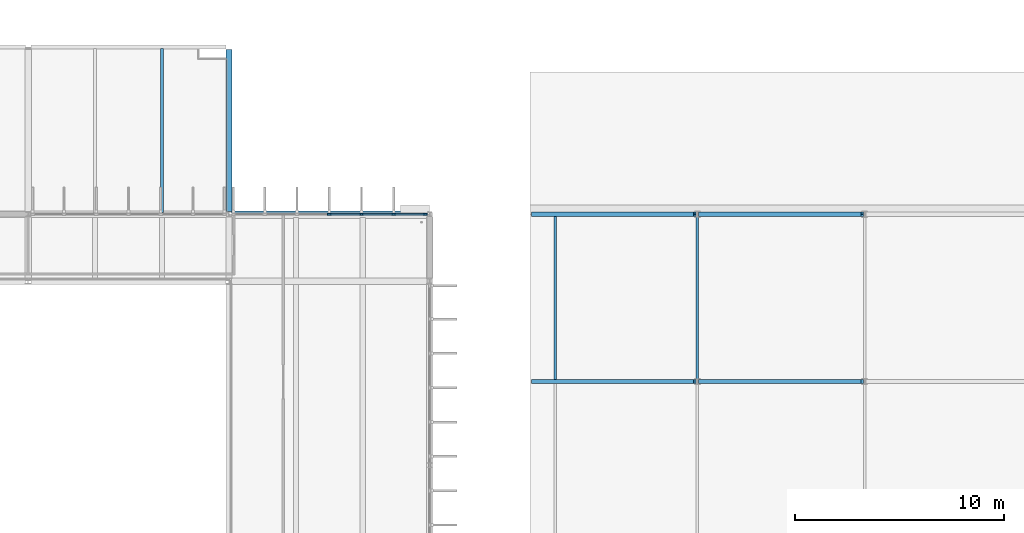
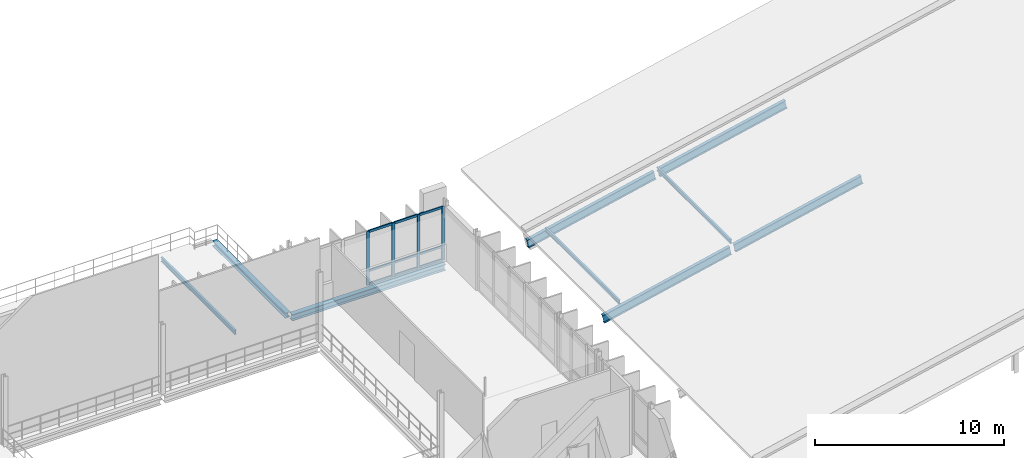
# One storey, part 17 of 41: 19 members, 3 beams, 1 element without a shape of its own.
"""IFC4 building model written with IfcOpenShell, lengths in metres."""

from ifc_helpers import new_model, si_unit, direction, frame, origin, origin_2d, place, context, subcontext, project, spatial, rectangle, i_section, extrude, material, material_profile, profile_set, type_object, element, aggregate, save


model = new_model("IFC4")

# Units and contexts
model_context = context("Model", 3, precision=1e-05, world=origin(), true_north=direction((0.0, 1.0)))
body_context = subcontext(model_context, "Body", "Model", "MODEL_VIEW")
ifc_project = project(units=[si_unit("LENGTHUNIT", "METRE"), si_unit("AREAUNIT", "SQUARE_METRE"), si_unit("VOLUMEUNIT", "CUBIC_METRE"), si_unit("PLANEANGLEUNIT", "RADIAN"), si_unit("MASSUNIT", "GRAM", prefix="KILO")], contexts=[model_context])

# Site, building, storey
site_placement = place(None, origin())
site = spatial("IfcSite", under=ifc_project, at=site_placement, CompositionType="ELEMENT")
building_placement = place(site_placement, origin())
building = spatial("IfcBuilding", under=site, at=building_placement, Name="Dunescarp Central Library", CompositionType="ELEMENT")
storey_placement = place(building_placement, frame((0.0, 0.0, 23.10009765625)))
storey = spatial("IfcBuildingStorey", under=building, at=storey_placement, Name="L05", CompositionType="ELEMENT", Elevation=23.10009765625)

# Curtain wall, members
ifc_material_1 = material(Name="Marine-grade anodised aluminium 6063-T6", Category="aluminium")
curtain_wall_type = type_object("IfcCurtainWallType", Name="ARC-CW-STICK", PredefinedType="NOTDEFINED", material=ifc_material_1)
curtain_wall_placement = place(storey_placement, origin())
curtain_wall = element("IfcCurtainWall", 1, at=curtain_wall_placement, inside=storey, type_object=curtain_wall_type, Name="L05 curtain wall CW-V2-079", PredefinedType="NOTDEFINED")
ifc_material_profile_1 = material_profile(ifc_material_1, rectangle(XDim=0.080078125, YDim=0.179931640625, at=origin_2d()), Name="AL 80x180")
ifc_profile_set_1 = profile_set([ifc_material_profile_1], Name="Marine-grade anodised aluminium 6063-T6")
member_type_1 = type_object("IfcMemberType", Name="ARC-CWM-180", PredefinedType="MULLION", material=ifc_profile_set_1)
member_1_placement = place(storey_placement, frame((72.0, 28.800048828125, 0.0), z_axis=(0.0, 0.0, 1.0), x_axis=(0.0, 1.0, 0.0)))
member_1 = element("IfcMember", 2, at=member_1_placement, type_object=member_type_1, Name="CW-V2-079 mullion 4", PredefinedType="MULLION", context=body_context, shape_type="SweptSolid", body=[
    extrude(rectangle(XDim=0.080078125, YDim=0.179931640625, at=origin_2d()), origin(), (0.0, 0.0, 1.0), 3.4658203125),
])
member_2_placement = place(storey_placement, frame((73.541748046875, 28.800048828125, 0.0), z_axis=(0.0, 0.0, 1.0), x_axis=(0.0, 1.0, 0.0)))
member_2 = element("IfcMember", 3, at=member_2_placement, type_object=member_type_1, Name="CW-V2-079 mullion 5", PredefinedType="MULLION", context=body_context, shape_type="SweptSolid", body=[
    extrude(rectangle(XDim=0.080078125, YDim=0.179931640625, at=origin_2d()), origin(), (0.0, 0.0, 1.0), 3.4658203125),
])
member_3_placement = place(storey_placement, frame((75.083251953125, 28.800048828125, 0.0), z_axis=(0.0, 0.0, 1.0), x_axis=(0.0, 1.0, 0.0)))
member_3 = element("IfcMember", 4, at=member_3_placement, type_object=member_type_1, Name="CW-V2-079 mullion 6", PredefinedType="MULLION", context=body_context, shape_type="SweptSolid", body=[
    extrude(rectangle(XDim=0.080078125, YDim=0.179931640625, at=origin_2d()), origin(), (0.0, 0.0, 1.0), 3.4658203125),
])
member_4_placement = place(storey_placement, frame((76.5849609375, 28.800048828125, 0.0), z_axis=(0.0, 0.0, 1.0), x_axis=(0.0, 1.0, 0.0)))
member_4 = element("IfcMember", 5, at=member_4_placement, type_object=member_type_1, Name="CW-V2-079 mullion 7", PredefinedType="MULLION", context=body_context, shape_type="SweptSolid", body=[
    extrude(rectangle(XDim=0.080078125, YDim=0.179931640625, at=origin_2d()), origin(), (0.0, 0.0, 1.0), 3.4658203125),
])
ifc_material_profile_2 = material_profile(ifc_material_1, rectangle(XDim=0.080078125, YDim=0.14990234375, at=origin_2d()), Name="AL 80x150")
ifc_profile_set_2 = profile_set([ifc_material_profile_2], Name="Marine-grade anodised aluminium 6063-T6")
member_type_2 = type_object("IfcMemberType", Name="ARC-CWT-150", PredefinedType="USERDEFINED", material=ifc_profile_set_2)
member_5_placement = place(storey_placement, frame((72.0400390625, 28.800048828125, 0.039794921875), z_axis=(1.0, 0.0, 0.0), x_axis=(0.0, 1.0, 0.0)))
member_5 = element("IfcMember", 6, at=member_5_placement, type_object=member_type_2, Name="CW-V2-079 transom 4.1", ObjectType="TRANSOM", PredefinedType="USERDEFINED", context=body_context, shape_type="SweptSolid", body=[
    extrude(rectangle(XDim=0.080078125, YDim=0.14990234375, at=origin_2d()), origin(), (0.0, 0.0, 1.0), 1.461669921875),
])
member_6_placement = place(storey_placement, frame((72.0400390625, 28.800048828125, 0.89990234375), z_axis=(1.0, 0.0, 0.0), x_axis=(0.0, 1.0, 0.0)))
member_6 = element("IfcMember", 7, at=member_6_placement, type_object=member_type_2, Name="CW-V2-079 transom 4.2", ObjectType="TRANSOM", PredefinedType="USERDEFINED", context=body_context, shape_type="SweptSolid", body=[
    extrude(rectangle(XDim=0.080078125, YDim=0.14990234375, at=origin_2d()), origin(), (0.0, 0.0, 1.0), 1.461669921875),
])
member_7_placement = place(storey_placement, frame((72.0400390625, 28.800048828125, 3.42578125), z_axis=(1.0, 0.0, 0.0), x_axis=(0.0, 1.0, 0.0)))
member_7 = element("IfcMember", 8, at=member_7_placement, type_object=member_type_2, Name="CW-V2-079 transom 4.3", ObjectType="TRANSOM", PredefinedType="USERDEFINED", context=body_context, shape_type="SweptSolid", body=[
    extrude(rectangle(XDim=0.080078125, YDim=0.14990234375, at=origin_2d()), origin(), (0.0, 0.0, 1.0), 1.461669921875),
])
member_8_placement = place(storey_placement, frame((73.581787109375, 28.800048828125, 0.039794921875), z_axis=(1.0, 0.0, 0.0), x_axis=(0.0, 1.0, 0.0)))
member_8 = element("IfcMember", 9, at=member_8_placement, type_object=member_type_2, Name="CW-V2-079 transom 5.1", ObjectType="TRANSOM", PredefinedType="USERDEFINED", context=body_context, shape_type="SweptSolid", body=[
    extrude(rectangle(XDim=0.080078125, YDim=0.14990234375, at=origin_2d()), origin(), (0.0, 0.0, 1.0), 1.46142578125),
])
member_9_placement = place(storey_placement, frame((73.581787109375, 28.800048828125, 0.89990234375), z_axis=(1.0, 0.0, 0.0), x_axis=(0.0, 1.0, 0.0)))
member_9 = element("IfcMember", 10, at=member_9_placement, type_object=member_type_2, Name="CW-V2-079 transom 5.2", ObjectType="TRANSOM", PredefinedType="USERDEFINED", context=body_context, shape_type="SweptSolid", body=[
    extrude(rectangle(XDim=0.080078125, YDim=0.14990234375, at=origin_2d()), origin(), (0.0, 0.0, 1.0), 1.46142578125),
])
member_10_placement = place(storey_placement, frame((73.581787109375, 28.800048828125, 3.42578125), z_axis=(1.0, 0.0, 0.0), x_axis=(0.0, 1.0, 0.0)))
member_10 = element("IfcMember", 11, at=member_10_placement, type_object=member_type_2, Name="CW-V2-079 transom 5.3", ObjectType="TRANSOM", PredefinedType="USERDEFINED", context=body_context, shape_type="SweptSolid", body=[
    extrude(rectangle(XDim=0.080078125, YDim=0.14990234375, at=origin_2d()), origin(), (0.0, 0.0, 1.0), 1.46142578125),
])
member_11_placement = place(storey_placement, frame((75.123291015625, 28.800048828125, 0.039794921875), z_axis=(1.0, 0.0, 0.0), x_axis=(0.0, 1.0, 0.0)))
member_11 = element("IfcMember", 12, at=member_11_placement, type_object=member_type_2, Name="CW-V2-079 transom 6.1", ObjectType="TRANSOM", PredefinedType="USERDEFINED", context=body_context, shape_type="SweptSolid", body=[
    extrude(rectangle(XDim=0.080078125, YDim=0.14990234375, at=origin_2d()), origin(), (0.0, 0.0, 1.0), 1.421630859375),
])
member_12_placement = place(storey_placement, frame((75.123291015625, 28.800048828125, 0.89990234375), z_axis=(1.0, 0.0, 0.0), x_axis=(0.0, 1.0, 0.0)))
member_12 = element("IfcMember", 13, at=member_12_placement, type_object=member_type_2, Name="CW-V2-079 transom 6.2", ObjectType="TRANSOM", PredefinedType="USERDEFINED", context=body_context, shape_type="SweptSolid", body=[
    extrude(rectangle(XDim=0.080078125, YDim=0.14990234375, at=origin_2d()), origin(), (0.0, 0.0, 1.0), 1.421630859375),
])
member_13_placement = place(storey_placement, frame((75.123291015625, 28.800048828125, 3.42578125), z_axis=(1.0, 0.0, 0.0), x_axis=(0.0, 1.0, 0.0)))
member_13 = element("IfcMember", 14, at=member_13_placement, type_object=member_type_2, Name="CW-V2-079 transom 6.3", ObjectType="TRANSOM", PredefinedType="USERDEFINED", context=body_context, shape_type="SweptSolid", body=[
    extrude(rectangle(XDim=0.080078125, YDim=0.14990234375, at=origin_2d()), origin(), (0.0, 0.0, 1.0), 1.421630859375),
])
aggregate(curtain_wall, [member_1, member_2, member_3, member_4, member_5, member_6, member_7, member_8, member_9, member_10, member_11, member_12, member_13])

# Beams
ifc_material_2 = material(Name="Steel S355JR", Category="steel")
ifc_material_profile_3 = material_profile(ifc_material_2, i_section(OverallWidth=0.300048828125, OverallDepth=0.330078125, WebThickness=0.009521484375, FlangeThickness=0.0166015625, at=origin_2d()), Name="HEA 340")
ifc_profile_set_3 = profile_set([ifc_material_profile_3], Name="Steel S355JR")
beam_type_1 = type_object("IfcBeamType", Name="STR-BM-HEA340", PredefinedType="BEAM", material=ifc_profile_set_3)
beam_1_placement = place(storey_placement, frame((67.199951171875, 28.927001953125, -0.35498046875), z_axis=(0.0, 1.0, 0.0), x_axis=(-1.0, 0.0, 0.0)))
element("IfcBeam", 15, at=beam_1_placement, inside=storey, type_object=beam_type_1, Name="L05 girder BM-L05-1525", PredefinedType="BEAM", context=body_context, shape_type="SweptSolid", body=[
    extrude(i_section(OverallWidth=0.300048828125, OverallDepth=0.330078125, WebThickness=0.009521484375, FlangeThickness=0.0166015625, at=origin_2d()), origin(), (0.0, 0.0, 1.0), 7.738037109375),
])
ifc_material_profile_4 = material_profile(ifc_material_2, i_section(OverallWidth=0.300048828125, OverallDepth=0.39990234375, WebThickness=0.013427734375, FlangeThickness=0.02392578125, at=origin_2d()), Name="HEB 400")
ifc_profile_set_4 = profile_set([ifc_material_profile_4], Name="Steel S355JR")
beam_type_2 = type_object("IfcBeamType", Name="STR-BM-HEB400", PredefinedType="BEAM", material=ifc_profile_set_4)
beam_2_placement = place(storey_placement, frame((67.324951171875, 28.800048828125, -0.420166015625), z_axis=(1.0, 0.0, 0.0), x_axis=(0.0, 1.0, 0.0)))
element("IfcBeam", 16, at=beam_2_placement, inside=storey, type_object=beam_type_2, Name="L05 girder BM-L05-0651", PredefinedType="BEAM", context=body_context, shape_type="SweptSolid", body=[
    extrude(i_section(OverallWidth=0.300048828125, OverallDepth=0.39990234375, WebThickness=0.013427734375, FlangeThickness=0.02392578125, at=origin_2d()), origin(), (0.0, 0.0, 1.0), 9.35009765625),
])
ifc_material_profile_5 = material_profile(ifc_material_2, i_section(OverallWidth=0.135009765625, OverallDepth=0.27001953125, WebThickness=0.006591796875, FlangeThickness=0.01025390625, at=origin_2d()), Name="IPE 270")
ifc_profile_set_5 = profile_set([ifc_material_profile_5], Name="Steel S355JR")
beam_type_3 = type_object("IfcBeamType", Name="STR-JS-IPE270", PredefinedType="JOIST", material=ifc_profile_set_5)
beam_3_placement = place(storey_placement, frame((64.0, 28.886962890625, -0.3251953125), z_axis=(0.0, 1.0, 0.0), x_axis=(-1.0, 0.0, 0.0)))
element("IfcBeam", 17, at=beam_3_placement, inside=storey, type_object=beam_type_3, Name="L05 joist JS-L05-1527", PredefinedType="JOIST", context=body_context, shape_type="SweptSolid", body=[
    extrude(i_section(OverallWidth=0.135009765625, OverallDepth=0.27001953125, WebThickness=0.006591796875, FlangeThickness=0.01025390625, at=origin_2d()), origin(), (0.0, 0.0, 1.0), 7.825927734375),
])

# Members
ifc_material_profile_6 = material_profile(ifc_material_2, i_section(OverallWidth=0.1201171875, OverallDepth=0.239990234375, WebThickness=0.006103515625, FlangeThickness=0.009765625, at=origin_2d()), Name="IPE 240")
ifc_profile_set_6 = profile_set([ifc_material_profile_6], Name="Steel S355JR")
member_type_3 = type_object("IfcMemberType", Name="STR-PR-IPE240", PredefinedType="PURLIN", material=ifc_profile_set_6)
for number, where, z_axis, x_axis, name in (
    (18, (82.800048828125, 20.902099609375, -0.113037109375), (0.0, 1.0, 0.0), (-1.0, 0.0, 0.0), "V3 roof purlin PR-V3-018"),
    (19, (89.60009765625, 20.902099609375, 1.39794921875), (0.0, 1.0, 0.0), (-1.0, 0.0, 0.0), "V3 roof purlin PR-V3-021"),
):
    element("IfcMember", number, at=place(storey_placement, frame(where, z_axis=z_axis, x_axis=x_axis)), inside=storey, type_object=member_type_3, Name=name, PredefinedType="PURLIN", context=body_context, shape_type="SweptSolid", body=[
        extrude(i_section(OverallWidth=0.1201171875, OverallDepth=0.239990234375, WebThickness=0.006103515625, FlangeThickness=0.009765625, at=origin_2d()), origin(), (0.0, 0.0, 1.0), 7.7958984375),
    ])
ifc_material_profile_7 = material_profile(ifc_material_2, i_section(OverallWidth=0.209228515625, OverallDepth=0.533203125, WebThickness=0.010009765625, FlangeThickness=0.015625, at=origin_2d()), Name="UB 533x210x92")
ifc_profile_set_7 = profile_set([ifc_material_profile_7], Name="Steel S355JR")
member_type_4 = type_object("IfcMemberType", Name="STR-RF-UB533", PredefinedType="RAFTER", material=ifc_profile_set_7)
member_14_placement = place(storey_placement, frame((81.716064453125, 20.800048828125, -0.737060546875), z_axis=(0.976163953978, 0.0, 0.217034409606), x_axis=(0.0, 1.0, 0.0)))
element("IfcMember", 20, at=member_14_placement, inside=storey, type_object=member_type_4, Name="V3 raked roof rafter RFT-V3-027", PredefinedType="RAFTER", context=body_context, shape_type="SweptSolid", body=[
    extrude(i_section(OverallWidth=0.209228515625, OverallDepth=0.533203125, WebThickness=0.010009765625, FlangeThickness=0.015625, at=origin_2d()), origin(), (0.0, 0.0, 1.0), 7.95751953125),
])
member_15_placement = place(storey_placement, frame((89.716064453125, 20.800048828125, 1.041015625), z_axis=(0.97619644423, 0.0, 0.216888225297), x_axis=(0.0, 1.0, 0.0)))
element("IfcMember", 21, at=member_15_placement, inside=storey, type_object=member_type_4, Name="V3 raked roof rafter RFT-V3-028", PredefinedType="RAFTER", context=body_context, shape_type="SweptSolid", body=[
    extrude(i_section(OverallWidth=0.209228515625, OverallDepth=0.533203125, WebThickness=0.010009765625, FlangeThickness=0.015625, at=origin_2d()), origin(), (0.0, 0.0, 1.0), 7.957275390625),
])
member_16_placement = place(storey_placement, frame((81.716064453125, 28.800048828125, -0.737060546875), z_axis=(0.976163953978, 0.0, 0.217034409606), x_axis=(0.0, 1.0, 0.0)))
element("IfcMember", 22, at=member_16_placement, inside=storey, type_object=member_type_4, Name="V3 raked roof rafter RFT-V3-032", PredefinedType="RAFTER", context=body_context, shape_type="SweptSolid", body=[
    extrude(i_section(OverallWidth=0.209228515625, OverallDepth=0.533203125, WebThickness=0.010009765625, FlangeThickness=0.015625, at=origin_2d()), origin(), (0.0, 0.0, 1.0), 7.95751953125),
])
member_17_placement = place(storey_placement, frame((89.716064453125, 28.800048828125, 1.041015625), z_axis=(0.97619644423, 0.0, 0.216888225297), x_axis=(0.0, 1.0, 0.0)))
element("IfcMember", 23, at=member_17_placement, inside=storey, type_object=member_type_4, Name="V3 raked roof rafter RFT-V3-033", PredefinedType="RAFTER", context=body_context, shape_type="SweptSolid", body=[
    extrude(i_section(OverallWidth=0.209228515625, OverallDepth=0.533203125, WebThickness=0.010009765625, FlangeThickness=0.015625, at=origin_2d()), origin(), (0.0, 0.0, 1.0), 7.957275390625),
])

save(model, "model.ifc")
